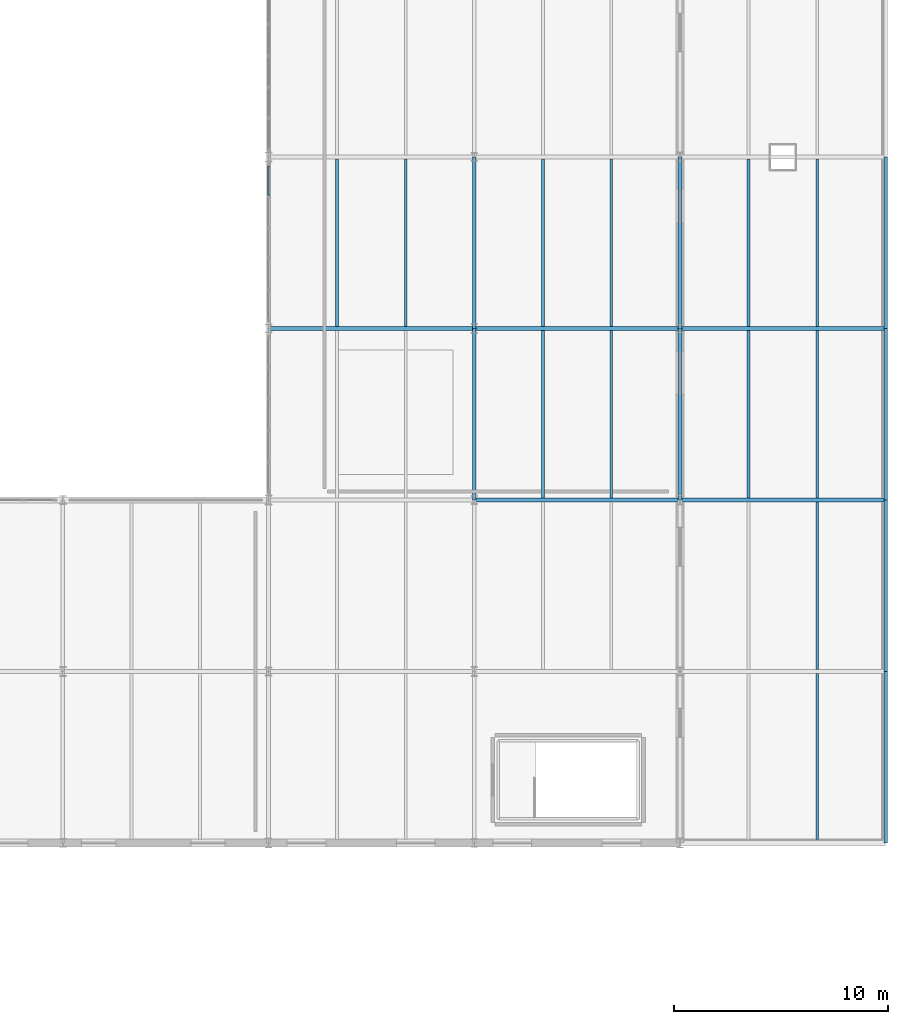
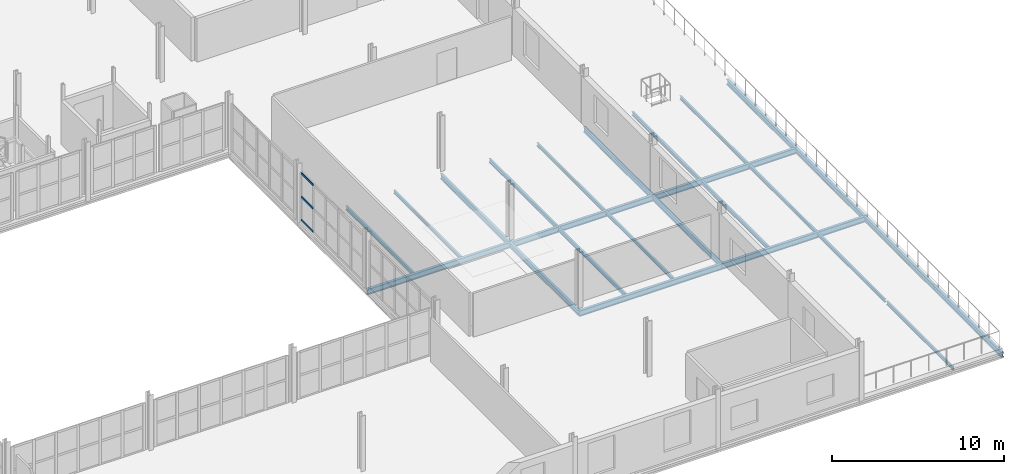
# One storey, part 55 of 85: 25 beams, 3 members, 1 element without a shape of its own.
"""IFC4 building model written with IfcOpenShell, lengths in metres."""

from ifc_helpers import new_model, si_unit, direction, frame, origin, origin_2d, place, context, subcontext, project, spatial, rectangle, i_section, extrude, material, layer, layer_set, material_profile, profile_set, type_object, element, aggregate, save


model = new_model("IFC4")

# Units and contexts
model_context = context("Model", 3, precision=1e-05, world=origin(), true_north=direction((0.0, 1.0)))
body_context = subcontext(model_context, "Body", "Model", "MODEL_VIEW")
ifc_project = project(units=[si_unit("LENGTHUNIT", "METRE"), si_unit("AREAUNIT", "SQUARE_METRE"), si_unit("VOLUMEUNIT", "CUBIC_METRE"), si_unit("PLANEANGLEUNIT", "RADIAN"), si_unit("MASSUNIT", "GRAM", prefix="KILO")], contexts=[model_context])

# Site, building, storey
site_placement = place(None, origin())
site = spatial("IfcSite", under=ifc_project, at=site_placement, CompositionType="ELEMENT")
building_placement = place(site_placement, origin())
building = spatial("IfcBuilding", under=site, at=building_placement, Name="Alderhovde Museum", CompositionType="ELEMENT")
storey_placement = place(building_placement, frame((0.0, 0.0, 8.699951171875)))
storey = spatial("IfcBuildingStorey", under=building, at=storey_placement, Name="L02", CompositionType="ELEMENT", Elevation=8.699951171875)

# Beams
ifc_material_1 = material(Name="Steel S355J2", Category="steel")
ifc_material_profile_1 = material_profile(ifc_material_1, i_section(OverallWidth=0.169921875, OverallDepth=0.360107421875, WebThickness=0.008056640625, FlangeThickness=0.0126953125, FilletRadius=0.01806640625, at=origin_2d()), Name="IPE 360")
ifc_profile_set_1 = profile_set([ifc_material_profile_1], Name="Steel S355J2")
beam_type_1 = type_object("IfcBeamType", Name="BM-IPE360", PredefinedType="BEAM", material=ifc_profile_set_1)
for number, where, z_axis, x_axis, name in (
    (1, (153.60009765625, 48.0, -0.43994140625), (0.0, 1.0, 0.0), (-1.0, 0.0, 0.0), "L02 Grid Beam X=153.6 (48.0 TO 56.0)"),
    (2, (153.60009765625, 56.0, -0.43994140625), (0.0, 1.0, 0.0), (-1.0, 0.0, 0.0), "L02 Grid Beam X=153.6 (56.0 TO 64.0)"),
    (3, (163.199951171875, 48.0, -0.47998046875), (0.0, 1.0, 0.0), (-1.0, 0.0, 0.0), "L02 Grid Beam X=163.2 (48.0 TO 56.0)"),
    (4, (163.199951171875, 56.0, -0.47998046875), (0.0, 1.0, 0.0), (-1.0, 0.0, 0.0), "L02 Grid Beam X=163.2 (56.0 TO 64.0)"),
    (5, (172.800048828125, 32.0, -0.47998046875), (0.0, 1.0, 0.0), (-1.0, 0.0, 0.0), "L02 Grid Beam X=172.8 (32.0 TO 40.0)"),
    (6, (172.800048828125, 40.0, -0.47998046875), (0.0, 1.0, 0.0), (-1.0, 0.0, 0.0), "L02 Grid Beam X=172.8 (40.0 TO 48.0)"),
    (7, (172.800048828125, 48.0, -0.47998046875), (0.0, 1.0, 0.0), (-1.0, 0.0, 0.0), "L02 Grid Beam X=172.8 (48.0 TO 56.0)"),
    (8, (172.800048828125, 56.0, -0.47998046875), (0.0, 1.0, 0.0), (-1.0, 0.0, 0.0), "L02 Grid Beam X=172.8 (56.0 TO 64.0)"),
):
    element("IfcBeam", number, at=place(storey_placement, frame(where, z_axis=z_axis, x_axis=x_axis)), inside=storey, type_object=beam_type_1, Name=name, PredefinedType="BEAM", context=body_context, shape_type="SweptSolid", body=[
        extrude(i_section(OverallWidth=0.169921875, OverallDepth=0.360107421875, WebThickness=0.008056640625, FlangeThickness=0.0126953125, FilletRadius=0.01806640625, at=origin_2d()), origin(), (0.0, 0.0, 1.0), 8.0),
    ])
ifc_material_2 = material(Name="Steel S355J2", Category="steel")
ifc_material_profile_2 = material_profile(ifc_material_2, i_section(OverallWidth=0.179931640625, OverallDepth=0.39990234375, WebThickness=0.008544921875, FlangeThickness=0.013427734375, FilletRadius=0.02099609375, at=origin_2d()), Name="IPE 400")
ifc_profile_set_2 = profile_set([ifc_material_profile_2], Name="Steel S355J2")
beam_type_2 = type_object("IfcBeamType", Name="BM-IPE400", PredefinedType="BEAM", material=ifc_profile_set_2)
beam_1_placement = place(storey_placement, frame((153.60009765625, 48.0, -0.5), z_axis=(1.0, 0.0, 0.0), x_axis=(0.0, 1.0, 0.0)))
element("IfcBeam", 9, at=beam_1_placement, inside=storey, type_object=beam_type_2, Name="L02 Grid Beam Y=48.0 (153.6 TO 163.2)", PredefinedType="BEAM", context=body_context, shape_type="SweptSolid", body=[
    extrude(i_section(OverallWidth=0.179931640625, OverallDepth=0.39990234375, WebThickness=0.008544921875, FlangeThickness=0.013427734375, FilletRadius=0.02099609375, at=origin_2d()), origin(), (0.0, 0.0, 1.0), 9.599853515625),
])
for number, where, z_axis, x_axis, name in (
    (10, (163.199951171875, 48.0, -0.5), (1.0, 0.0, 0.0), (0.0, 1.0, 0.0), "L02 Grid Beam Y=48.0 (163.2 TO 172.8)"),
    (11, (144.0, 56.0, -0.4599609375), (1.0, 0.0, 0.0), (0.0, 1.0, 0.0), "L02 Grid Beam Y=56.0 (144.0 TO 153.6)"),
):
    element("IfcBeam", number, at=place(storey_placement, frame(where, z_axis=z_axis, x_axis=x_axis)), inside=storey, type_object=beam_type_2, Name=name, PredefinedType="BEAM", context=body_context, shape_type="SweptSolid", body=[
        extrude(i_section(OverallWidth=0.179931640625, OverallDepth=0.39990234375, WebThickness=0.008544921875, FlangeThickness=0.013427734375, FilletRadius=0.02099609375, at=origin_2d()), origin(), (0.0, 0.0, 1.0), 9.60009765625),
    ])
beam_2_placement = place(storey_placement, frame((153.60009765625, 56.0, -0.5), z_axis=(1.0, 0.0, 0.0), x_axis=(0.0, 1.0, 0.0)))
element("IfcBeam", 12, at=beam_2_placement, inside=storey, type_object=beam_type_2, Name="L02 Grid Beam Y=56.0 (153.6 TO 163.2)", PredefinedType="BEAM", context=body_context, shape_type="SweptSolid", body=[
    extrude(i_section(OverallWidth=0.179931640625, OverallDepth=0.39990234375, WebThickness=0.008544921875, FlangeThickness=0.013427734375, FilletRadius=0.02099609375, at=origin_2d()), origin(), (0.0, 0.0, 1.0), 9.599853515625),
])
beam_3_placement = place(storey_placement, frame((163.199951171875, 56.0, -0.5), z_axis=(1.0, 0.0, 0.0), x_axis=(0.0, 1.0, 0.0)))
element("IfcBeam", 13, at=beam_3_placement, inside=storey, type_object=beam_type_2, Name="L02 Grid Beam Y=56.0 (163.2 TO 172.8)", PredefinedType="BEAM", context=body_context, shape_type="SweptSolid", body=[
    extrude(i_section(OverallWidth=0.179931640625, OverallDepth=0.39990234375, WebThickness=0.008544921875, FlangeThickness=0.013427734375, FilletRadius=0.02099609375, at=origin_2d()), origin(), (0.0, 0.0, 1.0), 9.60009765625),
])

# Curtain wall, members
ifc_material_3 = material(Name="Triple-Glazed Bronze-Anodised Curtain Wall", Category="glass")
ifc_layer = layer(ifc_material_3, 0.179931640625)
ifc_layer_set = layer_set([ifc_layer], Name="Triple-Glazed Bronze-Anodised Curtain Wall")
curtain_wall_type = type_object("IfcCurtainWallType", Name="CW-STIC-730x336", PredefinedType="USERDEFINED", material=ifc_layer_set)
curtain_wall_placement = place(storey_placement, origin())
curtain_wall = element("IfcCurtainWall", 14, at=curtain_wall_placement, inside=storey, type_object=curtain_wall_type, Name="L02 Stick Curtain Wall 165", ObjectType="STICK CURTAIN WALL", PredefinedType="USERDEFINED")
ifc_material_4 = material(Name="Bronze-Anodised Aluminium EN AW-6063-T6", Category="aluminium")
ifc_material_profile_3 = material_profile(ifc_material_4, rectangle(XDim=0.06494140625, YDim=0.139892578125, at=origin_2d()), Name="TRANSOM 65x140")
ifc_profile_set_3 = profile_set([ifc_material_profile_3], Name="Bronze-Anodised Aluminium EN AW-6063-T6")
member_type = type_object("IfcMemberType", Name="CWT-65x140", PredefinedType="USERDEFINED", material=ifc_profile_set_3)
member_1_placement = place(storey_placement, frame((144.0, 62.222412109375, 0.032470703125), z_axis=(0.0, 1.0, 0.0), x_axis=(-1.0, 0.0, 0.0)))
member_1 = element("IfcMember", 15, at=member_1_placement, type_object=member_type, Name="CW12 transom 5.1", ObjectType="TRANSOM", PredefinedType="USERDEFINED", context=body_context, shape_type="SweptSolid", body=[
    extrude(rectangle(XDim=0.06494140625, YDim=0.139892578125, at=origin_2d()), origin(), (0.0, 0.0, 1.0), 1.362548828125),
])
member_2_placement = place(storey_placement, frame((144.0, 62.222412109375, 1.679931640625), z_axis=(0.0, 1.0, 0.0), x_axis=(-1.0, 0.0, 0.0)))
member_2 = element("IfcMember", 16, at=member_2_placement, type_object=member_type, Name="CW12 transom 5.2", ObjectType="TRANSOM", PredefinedType="USERDEFINED", context=body_context, shape_type="SweptSolid", body=[
    extrude(rectangle(XDim=0.06494140625, YDim=0.139892578125, at=origin_2d()), origin(), (0.0, 0.0, 1.0), 1.362548828125),
])
member_3_placement = place(storey_placement, frame((144.0, 62.222412109375, 3.32763671875), z_axis=(0.0, 1.0, 0.0), x_axis=(-1.0, 0.0, 0.0)))
member_3 = element("IfcMember", 17, at=member_3_placement, type_object=member_type, Name="CW12 transom 5.3", ObjectType="TRANSOM", PredefinedType="USERDEFINED", context=body_context, shape_type="SweptSolid", body=[
    extrude(rectangle(XDim=0.06494140625, YDim=0.139892578125, at=origin_2d()), origin(), (0.0, 0.0, 1.0), 1.362548828125),
])
aggregate(curtain_wall, [member_1, member_2, member_3])

# Beams
ifc_material_5 = material(Name="Steel S355J2", Category="steel")
ifc_material_profile_4 = material_profile(ifc_material_5, i_section(OverallWidth=0.1201171875, OverallDepth=0.239990234375, WebThickness=0.006103515625, FlangeThickness=0.009765625, FilletRadius=0.014892578125, at=origin_2d()), Name="IPE 240")
ifc_profile_set_4 = profile_set([ifc_material_profile_4], Name="Steel S355J2")
beam_type_3 = type_object("IfcBeamType", Name="JST-IPE240", PredefinedType="JOIST", material=ifc_profile_set_4)
for number, where, z_axis, x_axis, name in (
    (18, (150.39990234375, 56.090087890625, -0.3798828125), (0.0, 1.0, 0.0), (-1.0, 0.0, 0.0), "L02 Composite Joist X=150.4 (56.0 TO 64.0)"),
    (19, (160.0, 48.090087890625, -0.3798828125), (0.0, 1.0, 0.0), (-1.0, 0.0, 0.0), "L02 Composite Joist X=160.0 (48.0 TO 56.0)"),
    (20, (160.0, 56.090087890625, -0.3798828125), (0.0, 1.0, 0.0), (-1.0, 0.0, 0.0), "L02 Composite Joist X=160.0 (56.0 TO 64.0)"),
):
    element("IfcBeam", number, at=place(storey_placement, frame(where, z_axis=z_axis, x_axis=x_axis)), inside=storey, type_object=beam_type_3, Name=name, PredefinedType="JOIST", context=body_context, shape_type="SweptSolid", body=[
        extrude(i_section(OverallWidth=0.1201171875, OverallDepth=0.239990234375, WebThickness=0.006103515625, FlangeThickness=0.009765625, FilletRadius=0.014892578125, at=origin_2d()), origin(), (0.0, 0.0, 1.0), 7.81982421875),
    ])
beam_4_placement = place(storey_placement, frame((169.60009765625, 32.14990234375, -0.419921875), z_axis=(0.0, 1.0, 0.0), x_axis=(-1.0, 0.0, 0.0)))
element("IfcBeam", 21, at=beam_4_placement, inside=storey, type_object=beam_type_3, Name="L02 Composite Joist X=169.6 (32.0 TO 40.0)", PredefinedType="JOIST", context=body_context, shape_type="SweptSolid", body=[
    extrude(i_section(OverallWidth=0.1201171875, OverallDepth=0.239990234375, WebThickness=0.006103515625, FlangeThickness=0.009765625, FilletRadius=0.014892578125, at=origin_2d()), origin(), (0.0, 0.0, 1.0), 7.760009765625),
])
for number, where, z_axis, x_axis, name in (
    (22, (169.60009765625, 40.090087890625, -0.419921875), (0.0, 1.0, 0.0), (-1.0, 0.0, 0.0), "L02 Composite Joist X=169.6 (40.0 TO 48.0)"),
    (23, (169.60009765625, 48.090087890625, -0.419921875), (0.0, 1.0, 0.0), (-1.0, 0.0, 0.0), "L02 Composite Joist X=169.6 (48.0 TO 56.0)"),
    (24, (169.60009765625, 56.090087890625, -0.419921875), (0.0, 1.0, 0.0), (-1.0, 0.0, 0.0), "L02 Composite Joist X=169.6 (56.0 TO 64.0)"),
):
    element("IfcBeam", number, at=place(storey_placement, frame(where, z_axis=z_axis, x_axis=x_axis)), inside=storey, type_object=beam_type_3, Name=name, PredefinedType="JOIST", context=body_context, shape_type="SweptSolid", body=[
        extrude(i_section(OverallWidth=0.1201171875, OverallDepth=0.239990234375, WebThickness=0.006103515625, FlangeThickness=0.009765625, FilletRadius=0.014892578125, at=origin_2d()), origin(), (0.0, 0.0, 1.0), 7.81982421875),
    ])
ifc_material_6 = material(Name="Steel S355J2", Category="steel")
ifc_material_profile_5 = material_profile(ifc_material_6, i_section(OverallWidth=0.135009765625, OverallDepth=0.27001953125, WebThickness=0.006591796875, FlangeThickness=0.01025390625, FilletRadius=0.014892578125, at=origin_2d()), Name="IPE 270")
ifc_profile_set_5 = profile_set([ifc_material_profile_5], Name="Steel S355J2")
beam_type_4 = type_object("IfcBeamType", Name="JST-IPE270", PredefinedType="JOIST", material=ifc_profile_set_5)
for number, where, z_axis, x_axis, name in (
    (25, (147.199951171875, 56.090087890625, -0.39501953125), (0.0, 1.0, 0.0), (-1.0, 0.0, 0.0), "L02 Composite Joist X=147.2 (56.0 TO 64.0)"),
    (26, (156.800048828125, 48.090087890625, -0.39501953125), (0.0, 1.0, 0.0), (-1.0, 0.0, 0.0), "L02 Composite Joist X=156.8 (48.0 TO 56.0)"),
    (27, (156.800048828125, 56.090087890625, -0.39501953125), (0.0, 1.0, 0.0), (-1.0, 0.0, 0.0), "L02 Composite Joist X=156.8 (56.0 TO 64.0)"),
    (28, (166.39990234375, 48.090087890625, -0.43505859375), (0.0, 1.0, 0.0), (-1.0, 0.0, 0.0), "L02 Composite Joist X=166.4 (48.0 TO 56.0)"),
    (29, (166.39990234375, 56.090087890625, -0.43505859375), (0.0, 1.0, 0.0), (-1.0, 0.0, 0.0), "L02 Composite Joist X=166.4 (56.0 TO 64.0)"),
):
    element("IfcBeam", number, at=place(storey_placement, frame(where, z_axis=z_axis, x_axis=x_axis)), inside=storey, type_object=beam_type_4, Name=name, PredefinedType="JOIST", context=body_context, shape_type="SweptSolid", body=[
        extrude(i_section(OverallWidth=0.135009765625, OverallDepth=0.27001953125, WebThickness=0.006591796875, FlangeThickness=0.01025390625, FilletRadius=0.014892578125, at=origin_2d()), origin(), (0.0, 0.0, 1.0), 7.81982421875),
    ])

save(model, "model.ifc")
